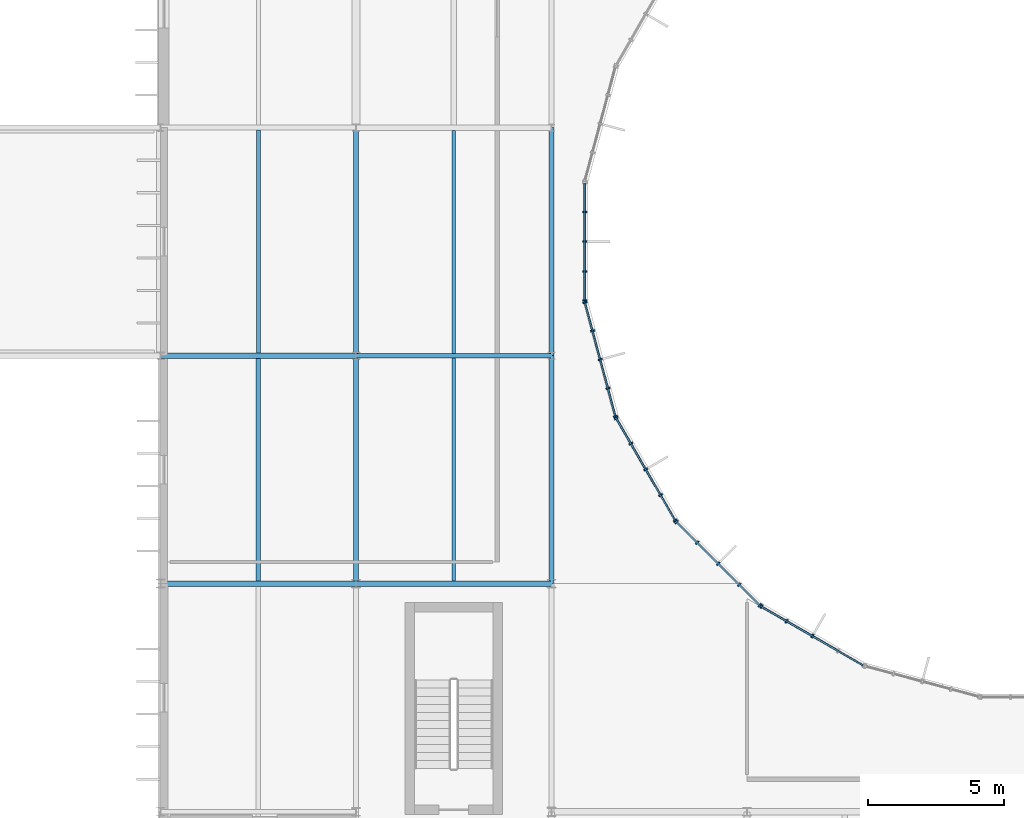
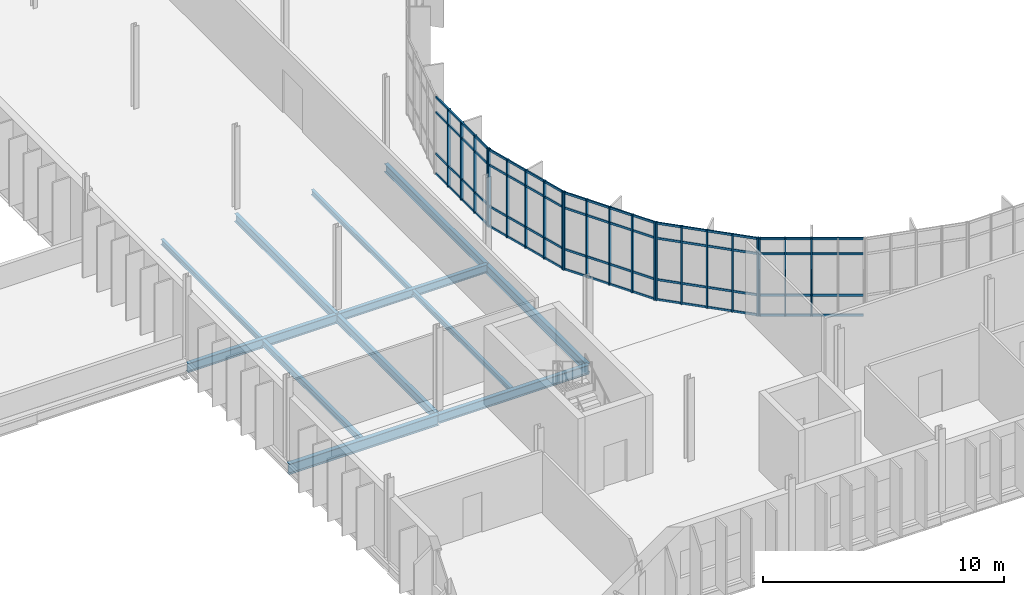
# One storey, part 18 of 61: 42 members, 12 beams, 5 elements without a shape of their own.
"""IFC4 building model written with IfcOpenShell, lengths in metres."""

import ifcopenshell
import ifcopenshell.guid

model = None  # the IFC model being written
_history = None  # IfcOwnerHistory: only IFC2X3 demands one
_inside = {}  # id of a spatial element -> (the spatial element, [elements in it])
_under = {}  # id of a project, library or spatial element -> (it, [spatial elements below it])
_declared = {}  # id of a project -> (the project, [libraries it declares])
_typed = {}  # id of a type object -> (the type object, [elements of that type])
_made_of = {}  # id of a material, layer set ... -> (it, [elements and type objects made of it])


def new_model(schema):
    """Start an empty IFC model of exactly this schema.

    Asked for "IFC4X3", IfcOpenShell would pick the latest addendum, in which some entities
    have other attributes; the version numbers below select the first issue.
    IFC2X3 requires an IfcOwnerHistory on every rooted entity: one is made here for all.
    """
    global model, _history
    if schema == "IFC4X3":
        model = ifcopenshell.file(schema_version=(4, 3, 0, 0))
    else:
        model = ifcopenshell.file(schema=schema)
    _inside.clear()
    _under.clear()
    _declared.clear()
    _typed.clear()
    _made_of.clear()
    _history = None
    if model.schema == "IFC2X3":
        org = make("IfcOrganization", Name="unknown")
        user = make(
            "IfcPersonAndOrganization",
            ThePerson=make("IfcPerson", FamilyName="unknown"),
            TheOrganization=org,
        )
        app = make(
            "IfcApplication",
            ApplicationDeveloper=org,
            Version="unknown",
            ApplicationFullName="unknown",
            ApplicationIdentifier="unknown",
        )
        _history = make(
            "IfcOwnerHistory",
            OwningUser=user,
            OwningApplication=app,
            ChangeAction="ADDED",
            CreationDate=0,
        )
    return model


def make(cls, **values):
    """One entity of the class cls with the attributes given. An attribute that is None is left unset."""
    return model.create_entity(
        cls, **{name: value for name, value in values.items() if value is not None}
    )


def rooted(cls, **values):
    """An entity with a GlobalId (a new one), such as an element, a storey or a relation."""
    return make(cls, GlobalId=ifcopenshell.guid.new(), OwnerHistory=_history, **values)


def si_unit(unit_type, name, prefix=None):
    """IfcSIUnit, for example si_unit("LENGTHUNIT", "METRE", prefix="MILLI")."""
    return make("IfcSIUnit", UnitType=unit_type, Prefix=prefix, Name=name)


def assignment(units):
    """IfcUnitAssignment: the units of a project."""
    return None if units is None else make("IfcUnitAssignment", Units=units)


def point(xyz):
    """IfcCartesianPoint."""
    return None if xyz is None else make("IfcCartesianPoint", Coordinates=xyz)


def direction(xyz):
    """IfcDirection."""
    return None if xyz is None else make("IfcDirection", DirectionRatios=xyz)


def frame(location, z_axis=None, x_axis=None):
    """IfcAxis2Placement3D, a coordinate frame: its origin and axes. An axis left out is left unset."""
    return make(
        "IfcAxis2Placement3D",
        Location=point(location),
        Axis=direction(z_axis),
        RefDirection=direction(x_axis),
    )


def frame_2d(location, x_axis=None):
    """IfcAxis2Placement2D, a coordinate frame in the plane: its origin and x axis."""
    return make(
        "IfcAxis2Placement2D", Location=point(location), RefDirection=direction(x_axis)
    )


def origin():
    """The frame at (0, 0, 0) with its axes left unset."""
    return frame((0.0, 0.0, 0.0))


def origin_2d():
    """The frame at (0, 0) in the plane with its x axis left unset."""
    return frame_2d((0.0, 0.0))


def place(relative_to, where):
    """IfcLocalPlacement: puts the frame where relative to a parent placement (None: the world)."""
    return make(
        "IfcLocalPlacement", PlacementRelTo=relative_to, RelativePlacement=where
    )


def context(
    kind, dimensions, precision=None, world=None, true_north=None, identifier=None
):
    """IfcGeometricRepresentationContext, for example the 3D "Model" context."""
    return make(
        "IfcGeometricRepresentationContext",
        ContextIdentifier=identifier,
        ContextType=kind,
        CoordinateSpaceDimension=dimensions,
        Precision=precision,
        WorldCoordinateSystem=world,
        TrueNorth=true_north,
    )


def subcontext(parent, identifier, kind, view, scale=None):
    """IfcGeometricRepresentationSubContext, for example "Body" below "Model"."""
    return make(
        "IfcGeometricRepresentationSubContext",
        ContextIdentifier=identifier,
        ContextType=kind,
        ParentContext=parent,
        TargetScale=scale,
        TargetView=view,
    )


def project(units=None, contexts=None):
    """IfcProject with its units and contexts."""
    return rooted(
        "IfcProject",
        Name="project",
        RepresentationContexts=contexts,
        UnitsInContext=assignment(units),
    )


def spatial(cls, under=None, at=None, **own):
    """A site, building, storey or space (cls), placed at a placement, below another one or the project."""
    s = rooted(cls, ObjectPlacement=at, **own)
    if under is not None:
        _under.setdefault(under.id(), (under, []))[1].append(s)
    return s


def profile(cls, at=None, kind="AREA", **sizes):
    """A parametric profile (cls). Its sizes go by their IFC names, for example OverallWidth=200.0."""
    return make(cls, ProfileType=kind, Position=at, **sizes)


def rectangle(**sizes):
    """IfcRectangleProfileDef."""
    return profile("IfcRectangleProfileDef", **sizes)


def i_section(**sizes):
    """IfcIShapeProfileDef."""
    return profile("IfcIShapeProfileDef", **sizes)


def extrude(swept, where, along, depth):
    """IfcExtrudedAreaSolid: the profile swept, set in the frame where, extruded along a direction by depth."""
    return make(
        "IfcExtrudedAreaSolid",
        SweptArea=swept,
        Position=where,
        ExtrudedDirection=direction(along),
        Depth=depth,
    )


def shape(context_of_items, identifier, shape_type, items):
    """IfcShapeRepresentation: the items that make up one representation, for example the "Body"."""
    return make(
        "IfcShapeRepresentation",
        ContextOfItems=context_of_items,
        RepresentationIdentifier=identifier,
        RepresentationType=shape_type,
        Items=items,
    )


def material(Name=None, Category=None):
    """IfcMaterial."""
    return make("IfcMaterial", Name=Name, Category=Category)


def material_profile(
    of_material, cross_section, Name=None, Category=None, Priority=None
):
    """IfcMaterialProfile: a cross section and its material."""
    return make(
        "IfcMaterialProfile",
        Name=Name,
        Material=of_material,
        Profile=cross_section,
        Priority=Priority,
        Category=Category,
    )


def profile_set(profiles, Name=None, composite=None):
    """IfcMaterialProfileSet."""
    return make(
        "IfcMaterialProfileSet",
        Name=Name,
        MaterialProfiles=profiles,
        CompositeProfile=composite,
    )


def made_of(thing, what):
    """Note that an element or type object is made of a material, layer set ...; save() writes the relation."""
    if what is not None:
        _made_of.setdefault(what.id(), (what, []))[1].append(thing)
    return thing


def type_object(cls, material=None, **own):
    """A type object (cls), such as IfcWallType, which elements share."""
    return made_of(rooted(cls, **own), material)


def element(
    cls,
    number,
    at=None,
    inside=None,
    cuts=None,
    type_object=None,
    material=None,
    context=None,
    identifier="Body",
    shape_type=None,
    held_by="IfcProductDefinitionShape",
    body=None,
    shapes=None,
    **own,
):
    """One element of the class cls, such as IfcWall. Its Tag is "e" and its number.

    at: its placement. inside: the storey or other place that contains it. cuts: it is an
    opening in that element (IfcRelVoidsElement). A single representation is given by context,
    identifier, shape_type and body (its items); several are given by shapes. held_by: the class
    of the entity that holds the representations. save() writes the other relations.
    """
    e = rooted(cls, Tag="e%d" % number, ObjectPlacement=at, **own)
    if body is not None:
        shapes = [shape(context, identifier, shape_type, body)]
    if shapes is not None:
        e.Representation = make(held_by, Representations=shapes)
    if inside is not None:
        _inside.setdefault(inside.id(), (inside, []))[1].append(e)
    if cuts is not None:
        rooted(
            "IfcRelVoidsElement", RelatingBuildingElement=cuts, RelatedOpeningElement=e
        )
    if type_object is not None:
        _typed.setdefault(type_object.id(), (type_object, []))[1].append(e)
    return made_of(e, material)


def aggregate(whole, parts):
    """IfcRelAggregates: a whole, such as a stair, and the parts it consists of."""
    return rooted("IfcRelAggregates", RelatingObject=whole, RelatedObjects=parts)


def save(model, path):
    """Write the relations noted so far, then the file.

    IfcRelAggregates (storeys below a building ...), IfcRelContainedInSpatialStructure (elements
    in a storey), IfcRelDefinesByType, IfcRelAssociatesMaterial and IfcRelDeclares: one each for
    every whole, place, type object, material and project.
    """
    for whole, parts in _under.values():
        aggregate(whole, parts)
    for where, things in _inside.values():
        rooted(
            "IfcRelContainedInSpatialStructure",
            RelatedElements=things,
            RelatingStructure=where,
        )
    for kind, things in _typed.values():
        rooted("IfcRelDefinesByType", RelatedObjects=things, RelatingType=kind)
    for what, things in _made_of.values():
        rooted("IfcRelAssociatesMaterial", RelatedObjects=things, RelatingMaterial=what)
    for by, libraries in _declared.values():
        rooted("IfcRelDeclares", RelatingContext=by, RelatedDefinitions=libraries)
    model.write(path)


model = new_model("IFC4")

# Units and contexts
model_context = context("Model", 3, precision=1e-05, world=origin(), true_north=direction((0.0, 1.0)))
body_context = subcontext(model_context, "Body", "Model", "MODEL_VIEW")
ifc_project = project(units=[si_unit("LENGTHUNIT", "METRE"), si_unit("AREAUNIT", "SQUARE_METRE"), si_unit("VOLUMEUNIT", "CUBIC_METRE"), si_unit("PLANEANGLEUNIT", "RADIAN"), si_unit("MASSUNIT", "GRAM", prefix="KILO")], contexts=[model_context])

# Site, building, storey
site_placement = place(None, origin())
site = spatial("IfcSite", under=ifc_project, at=site_placement, CompositionType="ELEMENT")
building_placement = place(site_placement, origin())
building = spatial("IfcBuilding", under=site, at=building_placement, Name="Qelthora Terrace Specialist Clinic", CompositionType="ELEMENT")
storey_placement = place(building_placement, frame((0.0, 0.0, 13.199951171875)))
storey = spatial("IfcBuildingStorey", under=building, at=storey_placement, Name="L03", CompositionType="ELEMENT", Elevation=13.199951171875)

# Beams
ifc_material_1 = material(Name="Steel S355", Category="steel")
ifc_material_profile_1 = material_profile(ifc_material_1, i_section(OverallWidth=0.178955078125, OverallDepth=0.409912109375, WebThickness=0.0087890625, FlangeThickness=0.014404296875, FilletRadius=0.011962890625, at=origin_2d()), Name="W410X67")
ifc_profile_set_1 = profile_set([ifc_material_profile_1], Name="Steel S355")
beam_type_1 = type_object("IfcBeamType", Name="BM-W410X67", PredefinedType="BEAM", material=ifc_profile_set_1)
beam_1_placement = place(storey_placement, frame((100.800048828125, 58.800048828125, -0.454833984375), z_axis=(0.0, 1.0, 0.0), x_axis=(-1.0, 0.0, 0.0)))
element("IfcBeam", 1, at=beam_1_placement, inside=storey, type_object=beam_type_1, Name="Girder BMY-L03-1090", PredefinedType="BEAM", context=body_context, shape_type="SweptSolid", body=[
    extrude(i_section(OverallWidth=0.178955078125, OverallDepth=0.409912109375, WebThickness=0.0087890625, FlangeThickness=0.014404296875, FilletRadius=0.011962890625, at=origin_2d()), origin(), (0.0, 0.0, 1.0), 8.39990234375),
])
ifc_material_profile_2 = material_profile(ifc_material_1, i_section(OverallWidth=0.179931640625, OverallDepth=0.4130859375, WebThickness=0.009765625, FlangeThickness=0.01611328125, FilletRadius=0.011962890625, at=origin_2d()), Name="W410X75")
ifc_profile_set_2 = profile_set([ifc_material_profile_2], Name="Steel S355")
beam_type_2 = type_object("IfcBeamType", Name="BM-W410X75", PredefinedType="BEAM", material=ifc_profile_set_2)
beam_2_placement = place(storey_placement, frame((100.800048828125, 58.800048828125, -0.45654296875), z_axis=(1.0, 0.0, 0.0), x_axis=(0.0, 1.0, 0.0)))
element("IfcBeam", 2, at=beam_2_placement, inside=storey, type_object=beam_type_2, Name="Girder BMX-L03-0947", PredefinedType="BEAM", context=body_context, shape_type="SweptSolid", body=[
    extrude(i_section(OverallWidth=0.179931640625, OverallDepth=0.4130859375, WebThickness=0.009765625, FlangeThickness=0.01611328125, FilletRadius=0.011962890625, at=origin_2d()), origin(), (0.0, 0.0, 1.0), 7.199951171875),
])
beam_3_placement = place(storey_placement, frame((100.800048828125, 50.39990234375, -0.45654296875), z_axis=(0.0, 1.0, 0.0), x_axis=(-1.0, 0.0, 0.0)))
element("IfcBeam", 3, at=beam_3_placement, inside=storey, type_object=beam_type_2, Name="Girder BMY-L03-1089", PredefinedType="BEAM", context=body_context, shape_type="SweptSolid", body=[
    extrude(i_section(OverallWidth=0.179931640625, OverallDepth=0.4130859375, WebThickness=0.009765625, FlangeThickness=0.01611328125, FilletRadius=0.011962890625, at=origin_2d()), origin(), (0.0, 0.0, 1.0), 8.400146484375),
])
beam_4_placement = place(storey_placement, frame((108.0, 58.800048828125, -0.45654296875), z_axis=(0.0, 1.0, 0.0), x_axis=(-1.0, 0.0, 0.0)))
element("IfcBeam", 4, at=beam_4_placement, inside=storey, type_object=beam_type_2, Name="Girder BMY-L03-1099", PredefinedType="BEAM", context=body_context, shape_type="SweptSolid", body=[
    extrude(i_section(OverallWidth=0.179931640625, OverallDepth=0.4130859375, WebThickness=0.009765625, FlangeThickness=0.01611328125, FilletRadius=0.011962890625, at=origin_2d()), origin(), (0.0, 0.0, 1.0), 8.39990234375),
])
ifc_material_profile_3 = material_profile(ifc_material_1, i_section(OverallWidth=0.19091796875, OverallDepth=0.4599609375, WebThickness=0.010009765625, FlangeThickness=0.01611328125, FilletRadius=0.012939453125, at=origin_2d()), Name="W460X82")
ifc_profile_set_3 = profile_set([ifc_material_profile_3], Name="Steel S355")
beam_type_3 = type_object("IfcBeamType", Name="BM-W460X82", PredefinedType="BEAM", material=ifc_profile_set_3)
beam_5_placement = place(storey_placement, frame((93.60009765625, 58.800048828125, -0.47998046875), z_axis=(1.0, 0.0, 0.0), x_axis=(0.0, 1.0, 0.0)))
element("IfcBeam", 5, at=beam_5_placement, inside=storey, type_object=beam_type_3, Name="Girder BMX-L03-0946", PredefinedType="BEAM", context=body_context, shape_type="SweptSolid", body=[
    extrude(i_section(OverallWidth=0.19091796875, OverallDepth=0.4599609375, WebThickness=0.010009765625, FlangeThickness=0.01611328125, FilletRadius=0.012939453125, at=origin_2d()), origin(), (0.0, 0.0, 1.0), 7.199951171875),
])
beam_6_placement = place(storey_placement, frame((108.0, 50.39990234375, -0.47998046875), z_axis=(0.0, 1.0, 0.0), x_axis=(-1.0, 0.0, 0.0)))
element("IfcBeam", 6, at=beam_6_placement, inside=storey, type_object=beam_type_3, Name="Girder BMY-L03-1098", PredefinedType="BEAM", context=body_context, shape_type="SweptSolid", body=[
    extrude(i_section(OverallWidth=0.19091796875, OverallDepth=0.4599609375, WebThickness=0.010009765625, FlangeThickness=0.01611328125, FilletRadius=0.012939453125, at=origin_2d()), origin(), (0.0, 0.0, 1.0), 8.400146484375),
])
ifc_material_profile_4 = material_profile(ifc_material_1, i_section(OverallWidth=0.193115234375, OverallDepth=0.466064453125, WebThickness=0.011474609375, FlangeThickness=0.01904296875, FilletRadius=0.012939453125, at=origin_2d()), Name="W460X97")
ifc_profile_set_4 = profile_set([ifc_material_profile_4], Name="Steel S355")
beam_type_4 = type_object("IfcBeamType", Name="BM-W460X97", PredefinedType="BEAM", material=ifc_profile_set_4)
beam_7_placement = place(storey_placement, frame((100.800048828125, 50.39990234375, -0.48291015625), z_axis=(1.0, 0.0, 0.0), x_axis=(0.0, 1.0, 0.0)))
element("IfcBeam", 7, at=beam_7_placement, inside=storey, type_object=beam_type_4, Name="Girder BMX-L03-0931", PredefinedType="BEAM", context=body_context, shape_type="SweptSolid", body=[
    extrude(i_section(OverallWidth=0.193115234375, OverallDepth=0.466064453125, WebThickness=0.011474609375, FlangeThickness=0.01904296875, FilletRadius=0.012939453125, at=origin_2d()), origin(), (0.0, 0.0, 1.0), 7.199951171875),
])
ifc_material_profile_5 = material_profile(ifc_material_1, i_section(OverallWidth=0.2099609375, OverallDepth=0.537109375, WebThickness=0.010986328125, FlangeThickness=0.017333984375, FilletRadius=0.013916015625, at=origin_2d()), Name="W530X101")
ifc_profile_set_5 = profile_set([ifc_material_profile_5], Name="Steel S355")
beam_type_5 = type_object("IfcBeamType", Name="BM-W530X101", PredefinedType="BEAM", material=ifc_profile_set_5)
beam_8_placement = place(storey_placement, frame((93.60009765625, 50.39990234375, -0.5185546875), z_axis=(1.0, 0.0, 0.0), x_axis=(0.0, 1.0, 0.0)))
element("IfcBeam", 8, at=beam_8_placement, inside=storey, type_object=beam_type_5, Name="Girder BMX-L03-0930", PredefinedType="BEAM", context=body_context, shape_type="SweptSolid", body=[
    extrude(i_section(OverallWidth=0.2099609375, OverallDepth=0.537109375, WebThickness=0.010986328125, FlangeThickness=0.017333984375, FilletRadius=0.013916015625, at=origin_2d()), origin(), (0.0, 0.0, 1.0), 7.199951171875),
])

# Curtain wall, members
ifc_material_2 = material(Name="Aluminium anodized bronze", Category="aluminium")
curtain_wall_type = type_object("IfcCurtainWallType", Name="CW-CRTE-UPP", PredefinedType="NOTDEFINED", material=ifc_material_2)
curtain_wall_1_placement = place(storey_placement, origin())
curtain_wall_1 = element("IfcCurtainWall", 9, at=curtain_wall_1_placement, inside=storey, type_object=curtain_wall_type, Name="Curtain wall CW-CE-L03-12", PredefinedType="NOTDEFINED")
ifc_material_profile_6 = material_profile(ifc_material_2, rectangle(XDim=0.06005859375, YDim=0.14990234375, at=origin_2d()), Name="CWM60X150")
ifc_profile_set_6 = profile_set([ifc_material_profile_6], Name="Aluminium anodized bronze")
member_type_1 = type_object("IfcMemberType", Name="CWM-60X150", PredefinedType="MULLION", material=ifc_profile_set_6)
member_1_placement = place(storey_placement, frame((109.2236328125, 64.096435546875, 0.0), z_axis=(0.0, 0.0, 1.0), x_axis=(0.0, -1.0, 0.0)))
member_1 = element("IfcMember", 10, at=member_1_placement, type_object=member_type_1, Name="CW-CE-L03-12 mullion 2", PredefinedType="MULLION", context=body_context, shape_type="SweptSolid", body=[
    extrude(rectangle(XDim=0.06005859375, YDim=0.14990234375, at=origin_2d()), origin(), (0.0, 0.0, 1.0), 3.945068359375),
])
member_2_placement = place(storey_placement, frame((109.2236328125, 63.0, 0.0), z_axis=(0.0, 0.0, 1.0), x_axis=(0.0, -1.0, 0.0)))
member_2 = element("IfcMember", 11, at=member_2_placement, type_object=member_type_1, Name="CW-CE-L03-12 mullion 3", PredefinedType="MULLION", context=body_context, shape_type="SweptSolid", body=[
    extrude(rectangle(XDim=0.06005859375, YDim=0.14990234375, at=origin_2d()), origin(), (0.0, 0.0, 1.0), 3.945068359375),
])
member_3_placement = place(storey_placement, frame((109.2236328125, 61.903564453125, 0.0), z_axis=(0.0, 0.0, 1.0), x_axis=(0.0, -1.0, 0.0)))
member_3 = element("IfcMember", 12, at=member_3_placement, type_object=member_type_1, Name="CW-CE-L03-12 mullion 4", PredefinedType="MULLION", context=body_context, shape_type="SweptSolid", body=[
    extrude(rectangle(XDim=0.06005859375, YDim=0.14990234375, at=origin_2d()), origin(), (0.0, 0.0, 1.0), 3.945068359375),
])
member_4_placement = place(storey_placement, frame((109.2236328125, 60.8271484375, 0.0), z_axis=(0.0, 0.0, 1.0), x_axis=(0.0, -1.0, 0.0)))
member_4 = element("IfcMember", 13, at=member_4_placement, type_object=member_type_1, Name="CW-CE-L03-12 mullion 5", PredefinedType="MULLION", context=body_context, shape_type="SweptSolid", body=[
    extrude(rectangle(XDim=0.06005859375, YDim=0.14990234375, at=origin_2d()), origin(), (0.0, 0.0, 1.0), 3.945068359375),
])

curtain_wall_2_placement = place(storey_placement, origin())
curtain_wall_2 = element("IfcCurtainWall", 14, at=curtain_wall_2_placement, inside=storey, type_object=curtain_wall_type, Name="Curtain wall CW-CE-L03-13", PredefinedType="NOTDEFINED")
member_5_placement = place(storey_placement, frame((109.23291015625, 60.7568359375, 0.0), z_axis=(0.0, 0.0, 1.0), x_axis=(0.258819664824, -0.965925660235, 0.0)))
member_5 = element("IfcMember", 15, at=member_5_placement, type_object=member_type_1, Name="CW-CE-L03-13 mullion 1", PredefinedType="MULLION", context=body_context, shape_type="SweptSolid", body=[
    extrude(rectangle(XDim=0.06005859375, YDim=0.14990234375, at=origin_2d()), origin(), (0.0, 0.0, 1.0), 3.945068359375),
])
member_6_placement = place(storey_placement, frame((109.511474609375, 59.717041015625, 0.0), z_axis=(0.0, 0.0, 1.0), x_axis=(0.258819664824, -0.965925660235, 0.0)))
member_6 = element("IfcMember", 16, at=member_6_placement, type_object=member_type_1, Name="CW-CE-L03-13 mullion 2", PredefinedType="MULLION", context=body_context, shape_type="SweptSolid", body=[
    extrude(rectangle(XDim=0.06005859375, YDim=0.14990234375, at=origin_2d()), origin(), (0.0, 0.0, 1.0), 3.945068359375),
])
member_7_placement = place(storey_placement, frame((109.79541015625, 58.657958984375, 0.0), z_axis=(0.0, 0.0, 1.0), x_axis=(0.258819664824, -0.965925660235, 0.0)))
member_7 = element("IfcMember", 17, at=member_7_placement, type_object=member_type_1, Name="CW-CE-L03-13 mullion 3", PredefinedType="MULLION", context=body_context, shape_type="SweptSolid", body=[
    extrude(rectangle(XDim=0.06005859375, YDim=0.14990234375, at=origin_2d()), origin(), (0.0, 0.0, 1.0), 3.945068359375),
])
member_8_placement = place(storey_placement, frame((110.0791015625, 57.598876953125, 0.0), z_axis=(0.0, 0.0, 1.0), x_axis=(0.258819664824, -0.965925660235, 0.0)))
member_8 = element("IfcMember", 18, at=member_8_placement, type_object=member_type_1, Name="CW-CE-L03-13 mullion 4", PredefinedType="MULLION", context=body_context, shape_type="SweptSolid", body=[
    extrude(rectangle(XDim=0.06005859375, YDim=0.14990234375, at=origin_2d()), origin(), (0.0, 0.0, 1.0), 3.945068359375),
])
member_9_placement = place(storey_placement, frame((110.357666015625, 56.55908203125, 0.0), z_axis=(0.0, 0.0, 1.0), x_axis=(0.258819664824, -0.965925660235, 0.0)))
member_9 = element("IfcMember", 19, at=member_9_placement, type_object=member_type_1, Name="CW-CE-L03-13 mullion 5", PredefinedType="MULLION", context=body_context, shape_type="SweptSolid", body=[
    extrude(rectangle(XDim=0.06005859375, YDim=0.14990234375, at=origin_2d()), origin(), (0.0, 0.0, 1.0), 3.945068359375),
])

curtain_wall_3_placement = place(storey_placement, origin())
curtain_wall_3 = element("IfcCurtainWall", 20, at=curtain_wall_3_placement, inside=storey, type_object=curtain_wall_type, Name="Curtain wall CW-CE-L03-14", PredefinedType="NOTDEFINED")
member_10_placement = place(storey_placement, frame((110.385009765625, 56.49365234375, 0.0), z_axis=(0.0, 0.0, 1.0), x_axis=(0.500000028915, -0.86602538709, 0.0)))
member_10 = element("IfcMember", 21, at=member_10_placement, type_object=member_type_1, Name="CW-CE-L03-14 mullion 1", PredefinedType="MULLION", context=body_context, shape_type="SweptSolid", body=[
    extrude(rectangle(XDim=0.06005859375, YDim=0.14990234375, at=origin_2d()), origin(), (0.0, 0.0, 1.0), 3.945068359375),
])
member_11_placement = place(storey_placement, frame((110.923095703125, 55.561279296875, 0.0), z_axis=(0.0, 0.0, 1.0), x_axis=(0.500000028915, -0.86602538709, 0.0)))
member_11 = element("IfcMember", 22, at=member_11_placement, type_object=member_type_1, Name="CW-CE-L03-14 mullion 2", PredefinedType="MULLION", context=body_context, shape_type="SweptSolid", body=[
    extrude(rectangle(XDim=0.06005859375, YDim=0.14990234375, at=origin_2d()), origin(), (0.0, 0.0, 1.0), 3.945068359375),
])
member_12_placement = place(storey_placement, frame((111.471435546875, 54.61181640625, 0.0), z_axis=(0.0, 0.0, 1.0), x_axis=(0.500000028915, -0.86602538709, 0.0)))
member_12 = element("IfcMember", 23, at=member_12_placement, type_object=member_type_1, Name="CW-CE-L03-14 mullion 3", PredefinedType="MULLION", context=body_context, shape_type="SweptSolid", body=[
    extrude(rectangle(XDim=0.06005859375, YDim=0.14990234375, at=origin_2d()), origin(), (0.0, 0.0, 1.0), 3.945068359375),
])
member_13_placement = place(storey_placement, frame((112.01953125, 53.662353515625, 0.0), z_axis=(0.0, 0.0, 1.0), x_axis=(0.500000028915, -0.86602538709, 0.0)))
member_13 = element("IfcMember", 24, at=member_13_placement, type_object=member_type_1, Name="CW-CE-L03-14 mullion 4", PredefinedType="MULLION", context=body_context, shape_type="SweptSolid", body=[
    extrude(rectangle(XDim=0.06005859375, YDim=0.14990234375, at=origin_2d()), origin(), (0.0, 0.0, 1.0), 3.945068359375),
])
member_14_placement = place(storey_placement, frame((112.557861328125, 52.730224609375, 0.0), z_axis=(0.0, 0.0, 1.0), x_axis=(0.500000028915, -0.86602538709, 0.0)))
member_14 = element("IfcMember", 25, at=member_14_placement, type_object=member_type_1, Name="CW-CE-L03-14 mullion 5", PredefinedType="MULLION", context=body_context, shape_type="SweptSolid", body=[
    extrude(rectangle(XDim=0.06005859375, YDim=0.14990234375, at=origin_2d()), origin(), (0.0, 0.0, 1.0), 3.945068359375),
])

curtain_wall_4_placement = place(storey_placement, origin())
curtain_wall_4 = element("IfcCurtainWall", 26, at=curtain_wall_4_placement, inside=storey, type_object=curtain_wall_type, Name="Curtain wall CW-CE-L03-15", PredefinedType="NOTDEFINED")
member_15_placement = place(storey_placement, frame((112.600830078125, 52.673828125, 0.0), z_axis=(0.0, 0.0, 1.0), x_axis=(0.707106781187, -0.707106781187, 0.0)))
member_15 = element("IfcMember", 27, at=member_15_placement, type_object=member_type_1, Name="CW-CE-L03-15 mullion 1", PredefinedType="MULLION", context=body_context, shape_type="SweptSolid", body=[
    extrude(rectangle(XDim=0.06005859375, YDim=0.14990234375, at=origin_2d()), origin(), (0.0, 0.0, 1.0), 3.945068359375),
])
member_16_placement = place(storey_placement, frame((113.362060546875, 51.91259765625, 0.0), z_axis=(0.0, 0.0, 1.0), x_axis=(0.707106781187, -0.707106781187, 0.0)))
member_16 = element("IfcMember", 28, at=member_16_placement, type_object=member_type_1, Name="CW-CE-L03-15 mullion 2", PredefinedType="MULLION", context=body_context, shape_type="SweptSolid", body=[
    extrude(rectangle(XDim=0.06005859375, YDim=0.14990234375, at=origin_2d()), origin(), (0.0, 0.0, 1.0), 3.945068359375),
])
member_17_placement = place(storey_placement, frame((114.137451171875, 51.137451171875, 0.0), z_axis=(0.0, 0.0, 1.0), x_axis=(0.707106781187, -0.707106781187, 0.0)))
member_17 = element("IfcMember", 29, at=member_17_placement, type_object=member_type_1, Name="CW-CE-L03-15 mullion 3", PredefinedType="MULLION", context=body_context, shape_type="SweptSolid", body=[
    extrude(rectangle(XDim=0.06005859375, YDim=0.14990234375, at=origin_2d()), origin(), (0.0, 0.0, 1.0), 3.945068359375),
])
member_18_placement = place(storey_placement, frame((114.91259765625, 50.362060546875, 0.0), z_axis=(0.0, 0.0, 1.0), x_axis=(0.707106781187, -0.707106781187, 0.0)))
member_18 = element("IfcMember", 30, at=member_18_placement, type_object=member_type_1, Name="CW-CE-L03-15 mullion 4", PredefinedType="MULLION", context=body_context, shape_type="SweptSolid", body=[
    extrude(rectangle(XDim=0.06005859375, YDim=0.14990234375, at=origin_2d()), origin(), (0.0, 0.0, 1.0), 3.945068359375),
])
member_19_placement = place(storey_placement, frame((115.673828125, 49.600830078125, 0.0), z_axis=(0.0, 0.0, 1.0), x_axis=(0.707106781187, -0.707106781187, 0.0)))
member_19 = element("IfcMember", 31, at=member_19_placement, type_object=member_type_1, Name="CW-CE-L03-15 mullion 5", PredefinedType="MULLION", context=body_context, shape_type="SweptSolid", body=[
    extrude(rectangle(XDim=0.06005859375, YDim=0.14990234375, at=origin_2d()), origin(), (0.0, 0.0, 1.0), 3.945068359375),
])

curtain_wall_5_placement = place(storey_placement, origin())
curtain_wall_5 = element("IfcCurtainWall", 32, at=curtain_wall_5_placement, inside=storey, type_object=curtain_wall_type, Name="Curtain wall CW-CE-L03-16", PredefinedType="NOTDEFINED")
member_20_placement = place(storey_placement, frame((115.730224609375, 49.557861328125, 0.0), z_axis=(0.0, 0.0, 1.0), x_axis=(0.86602538709, -0.500000028915, 0.0)))
member_20 = element("IfcMember", 33, at=member_20_placement, type_object=member_type_1, Name="CW-CE-L03-16 mullion 1", PredefinedType="MULLION", context=body_context, shape_type="SweptSolid", body=[
    extrude(rectangle(XDim=0.06005859375, YDim=0.14990234375, at=origin_2d()), origin(), (0.0, 0.0, 1.0), 3.945068359375),
])
member_21_placement = place(storey_placement, frame((116.662353515625, 49.01953125, 0.0), z_axis=(0.0, 0.0, 1.0), x_axis=(0.86602538709, -0.500000028915, 0.0)))
member_21 = element("IfcMember", 34, at=member_21_placement, type_object=member_type_1, Name="CW-CE-L03-16 mullion 2", PredefinedType="MULLION", context=body_context, shape_type="SweptSolid", body=[
    extrude(rectangle(XDim=0.06005859375, YDim=0.14990234375, at=origin_2d()), origin(), (0.0, 0.0, 1.0), 3.945068359375),
])
member_22_placement = place(storey_placement, frame((117.61181640625, 48.471435546875, 0.0), z_axis=(0.0, 0.0, 1.0), x_axis=(0.86602538709, -0.500000028915, 0.0)))
member_22 = element("IfcMember", 35, at=member_22_placement, type_object=member_type_1, Name="CW-CE-L03-16 mullion 3", PredefinedType="MULLION", context=body_context, shape_type="SweptSolid", body=[
    extrude(rectangle(XDim=0.06005859375, YDim=0.14990234375, at=origin_2d()), origin(), (0.0, 0.0, 1.0), 3.945068359375),
])

# Member
ifc_material_profile_7 = material_profile(ifc_material_2, rectangle(XDim=0.06005859375, YDim=0.110107421875, at=origin_2d()), Name="CWT60X110")
ifc_profile_set_7 = profile_set([ifc_material_profile_7], Name="Aluminium anodized bronze")
member_type_2 = type_object("IfcMemberType", Name="CWT-60X110", PredefinedType="USERDEFINED", material=ifc_profile_set_7)
member_23_placement = place(storey_placement, frame((109.2236328125, 65.15283203125, 0.0400390625), z_axis=(0.0, -1.0, 0.0), x_axis=(1.0, 0.0, 0.0)))
member_23 = element("IfcMember", 36, at=member_23_placement, type_object=member_type_2, Name="CW-CE-L03-12 transom 1", ObjectType="TRANSOM", PredefinedType="USERDEFINED", context=body_context, shape_type="SweptSolid", body=[
    extrude(rectangle(XDim=0.06005859375, YDim=0.110107421875, at=origin_2d()), origin(), (0.0, 0.0, 1.0), 4.3056640625),
])

member_24_placement = place(storey_placement, frame((109.2236328125, 65.15283203125, 1.050048828125), z_axis=(0.0, -1.0, 0.0), x_axis=(1.0, 0.0, 0.0)))
member_24 = element("IfcMember", 37, at=member_24_placement, type_object=member_type_2, Name="CW-CE-L03-12 transom 2", ObjectType="TRANSOM", PredefinedType="USERDEFINED", context=body_context, shape_type="SweptSolid", body=[
    extrude(rectangle(XDim=0.06005859375, YDim=0.110107421875, at=origin_2d()), origin(), (0.0, 0.0, 1.0), 4.3056640625),
])

member_25_placement = place(storey_placement, frame((109.2236328125, 65.15283203125, 3.14501953125), z_axis=(0.0, -1.0, 0.0), x_axis=(1.0, 0.0, 0.0)))
member_25 = element("IfcMember", 38, at=member_25_placement, type_object=member_type_2, Name="CW-CE-L03-12 transom 3", ObjectType="TRANSOM", PredefinedType="USERDEFINED", context=body_context, shape_type="SweptSolid", body=[
    extrude(rectangle(XDim=0.06005859375, YDim=0.110107421875, at=origin_2d()), origin(), (0.0, 0.0, 1.0), 4.3056640625),
])

member_26_placement = place(storey_placement, frame((109.2236328125, 65.15283203125, 3.905029296875), z_axis=(0.0, -1.0, 0.0), x_axis=(1.0, 0.0, 0.0)))
member_26 = element("IfcMember", 39, at=member_26_placement, type_object=member_type_2, Name="CW-CE-L03-12 transom 4", ObjectType="TRANSOM", PredefinedType="USERDEFINED", context=body_context, shape_type="SweptSolid", body=[
    extrude(rectangle(XDim=0.06005859375, YDim=0.110107421875, at=origin_2d()), origin(), (0.0, 0.0, 1.0), 4.3056640625),
])

aggregate(curtain_wall_1, [member_1, member_2, member_3, member_4, member_23, member_24, member_25, member_26])

member_27_placement = place(storey_placement, frame((109.23828125, 60.737548828125, 0.0400390625), z_axis=(0.25879182601, -0.965933119212, 0.0), x_axis=(0.965933119212, 0.25879182601, 0.0)))
member_27 = element("IfcMember", 40, at=member_27_placement, type_object=member_type_2, Name="CW-CE-L03-13 transom 1", ObjectType="TRANSOM", PredefinedType="USERDEFINED", context=body_context, shape_type="SweptSolid", body=[
    extrude(rectangle(XDim=0.06005859375, YDim=0.110107421875, at=origin_2d()), origin(), (0.0, 0.0, 1.0), 4.3056640625),
])

member_28_placement = place(storey_placement, frame((109.23828125, 60.737548828125, 1.050048828125), z_axis=(0.25879182601, -0.965933119212, 0.0), x_axis=(0.965933119212, 0.25879182601, 0.0)))
member_28 = element("IfcMember", 41, at=member_28_placement, type_object=member_type_2, Name="CW-CE-L03-13 transom 2", ObjectType="TRANSOM", PredefinedType="USERDEFINED", context=body_context, shape_type="SweptSolid", body=[
    extrude(rectangle(XDim=0.06005859375, YDim=0.110107421875, at=origin_2d()), origin(), (0.0, 0.0, 1.0), 4.3056640625),
])

member_29_placement = place(storey_placement, frame((109.23828125, 60.737548828125, 3.14501953125), z_axis=(0.25879182601, -0.965933119212, 0.0), x_axis=(0.965933119212, 0.25879182601, 0.0)))
member_29 = element("IfcMember", 42, at=member_29_placement, type_object=member_type_2, Name="CW-CE-L03-13 transom 3", ObjectType="TRANSOM", PredefinedType="USERDEFINED", context=body_context, shape_type="SweptSolid", body=[
    extrude(rectangle(XDim=0.06005859375, YDim=0.110107421875, at=origin_2d()), origin(), (0.0, 0.0, 1.0), 4.3056640625),
])

member_30_placement = place(storey_placement, frame((109.23828125, 60.737548828125, 3.905029296875), z_axis=(0.25879182601, -0.965933119212, 0.0), x_axis=(0.965933119212, 0.25879182601, 0.0)))
member_30 = element("IfcMember", 43, at=member_30_placement, type_object=member_type_2, Name="CW-CE-L03-13 transom 4", ObjectType="TRANSOM", PredefinedType="USERDEFINED", context=body_context, shape_type="SweptSolid", body=[
    extrude(rectangle(XDim=0.06005859375, YDim=0.110107421875, at=origin_2d()), origin(), (0.0, 0.0, 1.0), 4.3056640625),
])

aggregate(curtain_wall_2, [member_5, member_6, member_7, member_8, member_9, member_27, member_28, member_29, member_30])

member_31_placement = place(storey_placement, frame((110.39501953125, 56.476318359375, 0.0400390625), z_axis=(0.500005500391, -0.866022228109, 0.0), x_axis=(0.866022228109, 0.500005500391, 0.0)))
member_31 = element("IfcMember", 44, at=member_31_placement, type_object=member_type_2, Name="CW-CE-L03-14 transom 1", ObjectType="TRANSOM", PredefinedType="USERDEFINED", context=body_context, shape_type="SweptSolid", body=[
    extrude(rectangle(XDim=0.06005859375, YDim=0.110107421875, at=origin_2d()), origin(), (0.0, 0.0, 1.0), 4.3056640625),
])

member_32_placement = place(storey_placement, frame((110.39501953125, 56.476318359375, 1.050048828125), z_axis=(0.500005500391, -0.866022228109, 0.0), x_axis=(0.866022228109, 0.500005500391, 0.0)))
member_32 = element("IfcMember", 45, at=member_32_placement, type_object=member_type_2, Name="CW-CE-L03-14 transom 2", ObjectType="TRANSOM", PredefinedType="USERDEFINED", context=body_context, shape_type="SweptSolid", body=[
    extrude(rectangle(XDim=0.06005859375, YDim=0.110107421875, at=origin_2d()), origin(), (0.0, 0.0, 1.0), 4.3056640625),
])

member_33_placement = place(storey_placement, frame((110.39501953125, 56.476318359375, 3.14501953125), z_axis=(0.500005500391, -0.866022228109, 0.0), x_axis=(0.866022228109, 0.500005500391, 0.0)))
member_33 = element("IfcMember", 46, at=member_33_placement, type_object=member_type_2, Name="CW-CE-L03-14 transom 3", ObjectType="TRANSOM", PredefinedType="USERDEFINED", context=body_context, shape_type="SweptSolid", body=[
    extrude(rectangle(XDim=0.06005859375, YDim=0.110107421875, at=origin_2d()), origin(), (0.0, 0.0, 1.0), 4.3056640625),
])

member_34_placement = place(storey_placement, frame((110.39501953125, 56.476318359375, 3.905029296875), z_axis=(0.500005500391, -0.866022228109, 0.0), x_axis=(0.866022228109, 0.500005500391, 0.0)))
member_34 = element("IfcMember", 47, at=member_34_placement, type_object=member_type_2, Name="CW-CE-L03-14 transom 4", ObjectType="TRANSOM", PredefinedType="USERDEFINED", context=body_context, shape_type="SweptSolid", body=[
    extrude(rectangle(XDim=0.06005859375, YDim=0.110107421875, at=origin_2d()), origin(), (0.0, 0.0, 1.0), 4.3056640625),
])

aggregate(curtain_wall_3, [member_10, member_11, member_12, member_13, member_14, member_31, member_32, member_33, member_34])

member_35_placement = place(storey_placement, frame((112.614990234375, 52.65966796875, 0.0400390625), z_axis=(0.707106781187, -0.707106781187, 0.0), x_axis=(0.707106781187, 0.707106781187, 0.0)))
member_35 = element("IfcMember", 48, at=member_35_placement, type_object=member_type_2, Name="CW-CE-L03-15 transom 1", ObjectType="TRANSOM", PredefinedType="USERDEFINED", context=body_context, shape_type="SweptSolid", body=[
    extrude(rectangle(XDim=0.06005859375, YDim=0.110107421875, at=origin_2d()), origin(), (0.0, 0.0, 1.0), 4.305908203125),
])

member_36_placement = place(storey_placement, frame((112.614990234375, 52.65966796875, 1.050048828125), z_axis=(0.707106781187, -0.707106781187, 0.0), x_axis=(0.707106781187, 0.707106781187, 0.0)))
member_36 = element("IfcMember", 49, at=member_36_placement, type_object=member_type_2, Name="CW-CE-L03-15 transom 2", ObjectType="TRANSOM", PredefinedType="USERDEFINED", context=body_context, shape_type="SweptSolid", body=[
    extrude(rectangle(XDim=0.06005859375, YDim=0.110107421875, at=origin_2d()), origin(), (0.0, 0.0, 1.0), 4.305908203125),
])

member_37_placement = place(storey_placement, frame((112.614990234375, 52.65966796875, 3.14501953125), z_axis=(0.707106781187, -0.707106781187, 0.0), x_axis=(0.707106781187, 0.707106781187, 0.0)))
member_37 = element("IfcMember", 50, at=member_37_placement, type_object=member_type_2, Name="CW-CE-L03-15 transom 3", ObjectType="TRANSOM", PredefinedType="USERDEFINED", context=body_context, shape_type="SweptSolid", body=[
    extrude(rectangle(XDim=0.06005859375, YDim=0.110107421875, at=origin_2d()), origin(), (0.0, 0.0, 1.0), 4.305908203125),
])

member_38_placement = place(storey_placement, frame((112.614990234375, 52.65966796875, 3.905029296875), z_axis=(0.707106781187, -0.707106781187, 0.0), x_axis=(0.707106781187, 0.707106781187, 0.0)))
member_38 = element("IfcMember", 51, at=member_38_placement, type_object=member_type_2, Name="CW-CE-L03-15 transom 4", ObjectType="TRANSOM", PredefinedType="USERDEFINED", context=body_context, shape_type="SweptSolid", body=[
    extrude(rectangle(XDim=0.06005859375, YDim=0.110107421875, at=origin_2d()), origin(), (0.0, 0.0, 1.0), 4.305908203125),
])

aggregate(curtain_wall_4, [member_15, member_16, member_17, member_18, member_19, member_35, member_36, member_37, member_38])

member_39_placement = place(storey_placement, frame((115.74755859375, 49.5478515625, 0.0400390625), z_axis=(0.866022228109, -0.500005500391, 0.0), x_axis=(0.500005500391, 0.866022228109, 0.0)))
member_39 = element("IfcMember", 52, at=member_39_placement, type_object=member_type_2, Name="CW-CE-L03-16 transom 1", ObjectType="TRANSOM", PredefinedType="USERDEFINED", context=body_context, shape_type="SweptSolid", body=[
    extrude(rectangle(XDim=0.06005859375, YDim=0.110107421875, at=origin_2d()), origin(), (0.0, 0.0, 1.0), 4.3056640625),
])

member_40_placement = place(storey_placement, frame((115.74755859375, 49.5478515625, 1.050048828125), z_axis=(0.866022228109, -0.500005500391, 0.0), x_axis=(0.500005500391, 0.866022228109, 0.0)))
member_40 = element("IfcMember", 53, at=member_40_placement, type_object=member_type_2, Name="CW-CE-L03-16 transom 2", ObjectType="TRANSOM", PredefinedType="USERDEFINED", context=body_context, shape_type="SweptSolid", body=[
    extrude(rectangle(XDim=0.06005859375, YDim=0.110107421875, at=origin_2d()), origin(), (0.0, 0.0, 1.0), 4.3056640625),
])

member_41_placement = place(storey_placement, frame((115.74755859375, 49.5478515625, 3.14501953125), z_axis=(0.866022228109, -0.500005500391, 0.0), x_axis=(0.500005500391, 0.866022228109, 0.0)))
member_41 = element("IfcMember", 54, at=member_41_placement, type_object=member_type_2, Name="CW-CE-L03-16 transom 3", ObjectType="TRANSOM", PredefinedType="USERDEFINED", context=body_context, shape_type="SweptSolid", body=[
    extrude(rectangle(XDim=0.06005859375, YDim=0.110107421875, at=origin_2d()), origin(), (0.0, 0.0, 1.0), 4.3056640625),
])

member_42_placement = place(storey_placement, frame((115.74755859375, 49.5478515625, 3.905029296875), z_axis=(0.866022228109, -0.500005500391, 0.0), x_axis=(0.500005500391, 0.866022228109, 0.0)))
member_42 = element("IfcMember", 55, at=member_42_placement, type_object=member_type_2, Name="CW-CE-L03-16 transom 4", ObjectType="TRANSOM", PredefinedType="USERDEFINED", context=body_context, shape_type="SweptSolid", body=[
    extrude(rectangle(XDim=0.06005859375, YDim=0.110107421875, at=origin_2d()), origin(), (0.0, 0.0, 1.0), 4.3056640625),
])

aggregate(curtain_wall_5, [member_20, member_21, member_22, member_39, member_40, member_41, member_42])

# Beams
ifc_material_profile_8 = material_profile(ifc_material_1, i_section(OverallWidth=0.14599609375, OverallDepth=0.258056640625, WebThickness=0.006103515625, FlangeThickness=0.009033203125, FilletRadius=0.009033203125, at=origin_2d()), Name="W250X33")
ifc_profile_set_8 = profile_set([ifc_material_profile_8], Name="Steel S355")
beam_type_6 = type_object("IfcBeamType", Name="JST-W250X33", PredefinedType="JOIST", material=ifc_profile_set_8)
beam_9_placement = place(storey_placement, frame((104.39990234375, 58.889892578125, -0.37890625), z_axis=(0.0, 1.0, 0.0), x_axis=(-1.0, 0.0, 0.0)))
element("IfcBeam", 56, at=beam_9_placement, inside=storey, type_object=beam_type_6, Name="Composite floor joist JST-L03-0252", PredefinedType="JOIST", context=body_context, shape_type="SweptSolid", body=[
    extrude(i_section(OverallWidth=0.14599609375, OverallDepth=0.258056640625, WebThickness=0.006103515625, FlangeThickness=0.009033203125, FilletRadius=0.009033203125, at=origin_2d()), origin(), (0.0, 0.0, 1.0), 8.214599609375),
])
ifc_material_profile_9 = material_profile(ifc_material_1, i_section(OverallWidth=0.14697265625, OverallDepth=0.261962890625, WebThickness=0.006591796875, FlangeThickness=0.01123046875, FilletRadius=0.009033203125, at=origin_2d()), Name="W250X39")
ifc_profile_set_9 = profile_set([ifc_material_profile_9], Name="Steel S355")
beam_type_7 = type_object("IfcBeamType", Name="JST-W250X39", PredefinedType="JOIST", material=ifc_profile_set_9)
beam_10_placement = place(storey_placement, frame((97.199951171875, 58.8955078125, -0.380859375), z_axis=(0.0, 1.0, 0.0), x_axis=(-1.0, 0.0, 0.0)))
element("IfcBeam", 57, at=beam_10_placement, inside=storey, type_object=beam_type_7, Name="Composite floor joist JST-L03-0245", PredefinedType="JOIST", context=body_context, shape_type="SweptSolid", body=[
    extrude(i_section(OverallWidth=0.14697265625, OverallDepth=0.261962890625, WebThickness=0.006591796875, FlangeThickness=0.01123046875, FilletRadius=0.009033203125, at=origin_2d()), origin(), (0.0, 0.0, 1.0), 8.215087890625),
])
beam_11_placement = place(storey_placement, frame((104.39990234375, 50.49658203125, -0.380859375), z_axis=(0.0, 1.0, 0.0), x_axis=(-1.0, 0.0, 0.0)))
element("IfcBeam", 58, at=beam_11_placement, inside=storey, type_object=beam_type_7, Name="Composite floor joist JST-L03-0251", PredefinedType="JOIST", context=body_context, shape_type="SweptSolid", body=[
    extrude(i_section(OverallWidth=0.14697265625, OverallDepth=0.261962890625, WebThickness=0.006591796875, FlangeThickness=0.01123046875, FilletRadius=0.009033203125, at=origin_2d()), origin(), (0.0, 0.0, 1.0), 8.21337890625),
])
ifc_material_profile_10 = material_profile(ifc_material_1, i_section(OverallWidth=0.166015625, OverallDepth=0.31298828125, WebThickness=0.006591796875, FlangeThickness=0.01123046875, FilletRadius=0.010009765625, at=origin_2d()), Name="W310X45")
ifc_profile_set_10 = profile_set([ifc_material_profile_10], Name="Steel S355")
beam_type_8 = type_object("IfcBeamType", Name="JST-W310X45", PredefinedType="JOIST", material=ifc_profile_set_10)
beam_12_placement = place(storey_placement, frame((97.199951171875, 50.5048828125, -0.406494140625), z_axis=(0.0, 1.0, 0.0), x_axis=(-1.0, 0.0, 0.0)))
element("IfcBeam", 59, at=beam_12_placement, inside=storey, type_object=beam_type_8, Name="Composite floor joist JST-L03-0244", PredefinedType="JOIST", context=body_context, shape_type="SweptSolid", body=[
    extrude(i_section(OverallWidth=0.166015625, OverallDepth=0.31298828125, WebThickness=0.006591796875, FlangeThickness=0.01123046875, FilletRadius=0.010009765625, at=origin_2d()), origin(), (0.0, 0.0, 1.0), 8.19970703125),
])

save(model, "model.ifc")
